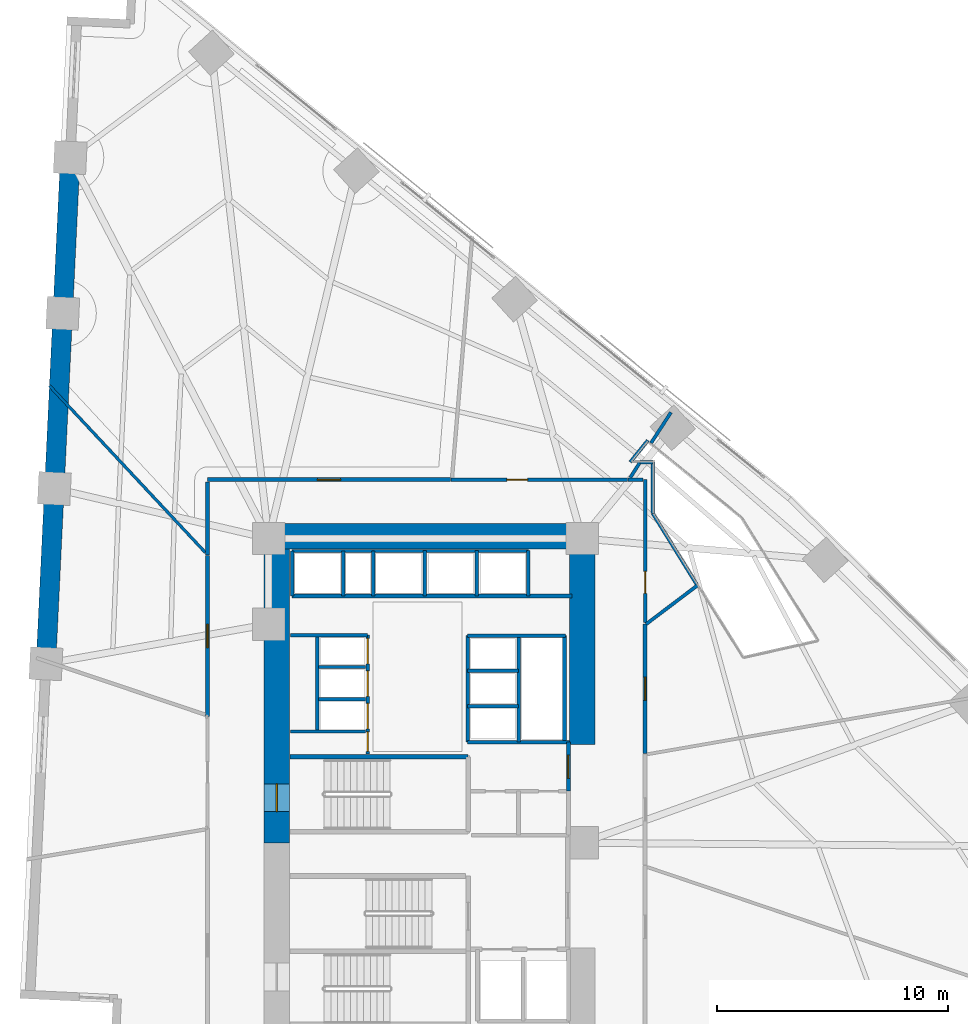
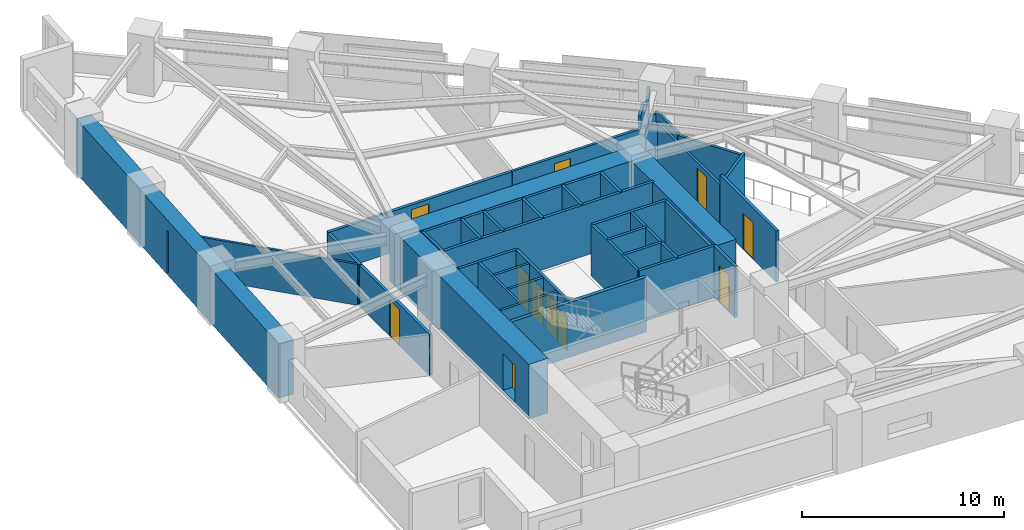
# One storey, part 14 of 17: 43 walls, 11 doors, 11 openings.
"""IFC4 building model written with IfcOpenShell, lengths in metres."""

from ifc_helpers import new_model, si_unit, direction, frame, frame_2d, origin, place, context, subcontext, project, spatial, rectangle, extrude, material, layer, layer_set, type_object, element, fill, save


model = new_model("IFC4")

# Units and contexts
model_context = context("Model", 3, precision=1e-05, world=origin(), true_north=direction((0.0, 1.0)))
body_context = subcontext(model_context, "Body", "Model", "MODEL_VIEW")
ifc_project = project(units=[si_unit("LENGTHUNIT", "METRE"), si_unit("AREAUNIT", "SQUARE_METRE"), si_unit("VOLUMEUNIT", "CUBIC_METRE"), si_unit("PLANEANGLEUNIT", "RADIAN"), si_unit("MASSUNIT", "GRAM", prefix="KILO")], contexts=[model_context])

# Site, building, storey
site_placement = place(None, origin())
site = spatial("IfcSite", under=ifc_project, at=site_placement, CompositionType="ELEMENT")
building_placement = place(site_placement, origin())
building = spatial("IfcBuilding", under=site, at=building_placement, Name="Narakoshi Arena Tower", CompositionType="ELEMENT")
storey_placement = place(building_placement, frame((0.0, 0.0, 55.5)))
storey = spatial("IfcBuildingStorey", under=building, at=storey_placement, Name="L14", CompositionType="ELEMENT", Elevation=55.5)

# Wall, opening, door
ifc_material_1 = material(Name="Concrete C60/75", Category="concrete")
ifc_layer_1 = layer(ifc_material_1, 1.10009765625)
ifc_layer_set_1 = layer_set([ifc_layer_1], Name="Concrete C60/75")
wall_type_1 = type_object("IfcWallType", Name="WL-CORE-1100", PredefinedType="SHEAR", material=ifc_layer_set_1)
wall_1_placement = place(storey_placement, frame((72.35009765625, 43.35009765625, -0.199951171875), z_axis=(0.0, 0.0, 1.0), x_axis=(0.0, 1.0, 0.0)))
wall_1 = element("IfcWall", 1, at=wall_1_placement, inside=storey, type_object=wall_type_1, Name="L14 Main Core Shear Wall CW-MN-W", PredefinedType="SHEAR", context=body_context, shape_type="SweptSolid", body=[
    extrude(rectangle(XDim=12.699951171875, YDim=1.10009765625, at=frame_2d((6.35009765625, 0.0))), origin(), (0.0, 0.0, 1.0), 3.300048828125),
])
opening_1_placement = place(wall_1_placement, frame((1.35009765625, 0.0, 0.199951171875)))
opening_1 = element("IfcOpeningElement", 2, at=opening_1_placement, cuts=wall_1, Name="Opening D-03", PredefinedType="OPENING", context=body_context, shape_type="SweptSolid", body=[
    extrude(rectangle(XDim=1.199951171875, YDim=2.199951171875, at=frame_2d((0.60009765625, 1.10009765625))), frame((0.0, 0.56005859375, 0.0), z_axis=(0.0, -1.0, 0.0), x_axis=(1.0, 0.0, 0.0)), (0.0, 0.0, 1.0), 1.1201171875),
])
ifc_material_2 = material(Name="Painted galvanized steel", Category="steel")
door_type_1 = type_object("IfcDoorType", Name="DR-STR-1200", OperationType="NOTDEFINED", PredefinedType="USERDEFINED", material=ifc_material_2)
door_1_placement = place(opening_1_placement, frame((1.199951171875, 0.0, 0.0), z_axis=(0.0, 0.0, 1.0), x_axis=(-1.0, 0.0, 0.0)))
door_1 = element("IfcDoor", 3, at=door_1_placement, inside=storey, type_object=door_type_1, Name="DR-L14-006", ObjectType="EXITDOOR", OperationType="SINGLE_SWING_LEFT", OverallHeight=2.199951171875, OverallWidth=1.199951171875, PredefinedType="USERDEFINED", context=body_context, shape_type="SweptSolid", body=[
    extrude(rectangle(XDim=1.199951171875, YDim=2.199951171875, at=frame_2d((0.60009765625, 1.10009765625))), frame((0.0, 0.02490234375, 0.0), z_axis=(0.0, -1.0, 0.0), x_axis=(1.0, 0.0, 0.0)), (0.0, 0.0, 1.0), 0.050048828125),
])
fill(opening_1, door_1)

# Walls
wall_2_placement = place(storey_placement, frame((71.800048828125, 56.60009765625, -0.199951171875), z_axis=(0.0, 0.0, 1.0), x_axis=(1.0, 0.0, 0.0)))
element("IfcWall", 4, at=wall_2_placement, inside=storey, type_object=wall_type_1, Name="L14 Main Core Shear Wall CW-MN-N", PredefinedType="SHEAR", context=body_context, shape_type="SweptSolid", body=[
    extrude(rectangle(XDim=14.300048828125, YDim=1.10009765625, at=frame_2d((7.14990234375, 0.0))), origin(), (0.0, 0.0, 1.0), 3.300048828125),
])
wall_3_placement = place(storey_placement, frame((85.550048828125, 47.60009765625, -0.199951171875), z_axis=(0.0, 0.0, 1.0), x_axis=(0.0, 1.0, 0.0)))
element("IfcWall", 5, at=wall_3_placement, inside=storey, type_object=wall_type_1, Name="L14 Main Core Shear Wall CW-MN-E", PredefinedType="SHEAR", context=body_context, shape_type="SweptSolid", body=[
    extrude(rectangle(XDim=8.449951171875, YDim=1.10009765625, at=frame_2d((4.22509765625, 0.0))), origin(), (0.0, 0.0, 1.0), 3.300048828125),
])

# Wall, opening, door
ifc_material_3 = material(Name="Gypsum plasterboard fire-rated partition")
ifc_layer_2 = layer(ifc_material_3, 0.1650390625)
ifc_layer_set_2 = layer_set([ifc_layer_2], Name="Gypsum plasterboard fire-rated partition")
wall_type_2 = type_object("IfcWallType", Name="WL-CORR-165", PredefinedType="PARTITIONING", material=ifc_layer_set_2)
wall_4_placement = place(storey_placement, frame((84.949951171875, 45.580078125, 0.0), z_axis=(0.0, 0.0, 1.0), x_axis=(0.0, 1.0, 0.0)))
wall_4 = element("IfcWall", 6, at=wall_4_placement, inside=storey, type_object=wall_type_2, Name="L14 Core Wall CPAS-E", PredefinedType="PARTITIONING", context=body_context, shape_type="SweptSolid", body=[
    extrude(rectangle(XDim=2.119873046875, YDim=0.1650390625, at=frame_2d((1.06005859375, 0.0))), origin(), (0.0, 0.0, 1.0), 3.10009765625),
])
opening_2_placement = place(wall_4_placement, frame((0.56005859375, 0.0, 0.0)))
opening_2 = element("IfcOpeningElement", 7, at=opening_2_placement, cuts=wall_4, Name="Opening D-06", PredefinedType="OPENING", context=body_context, shape_type="SweptSolid", body=[
    extrude(rectangle(XDim=1.0, YDim=2.199951171875, at=frame_2d((0.5, 1.10009765625))), frame((0.0, 0.092529296875, 0.0), z_axis=(0.0, -1.0, 0.0), x_axis=(1.0, 0.0, 0.0)), (0.0, 0.0, 1.0), 0.18505859375),
])
ifc_material_4 = material(Name="Stained oak solid-core timber", Category="wood")
door_type_2 = type_object("IfcDoorType", Name="DR-OFF-1000", OperationType="NOTDEFINED", PredefinedType="DOOR", material=ifc_material_4)
door_2_placement = place(opening_2_placement, frame((1.0, 0.0, 0.0), z_axis=(0.0, 0.0, 1.0), x_axis=(-1.0, 0.0, 0.0)))
door_2 = element("IfcDoor", 8, at=door_2_placement, inside=storey, type_object=door_type_2, Name="DR-L14-007", OperationType="SINGLE_SWING_LEFT", OverallHeight=2.199951171875, OverallWidth=1.0, PredefinedType="DOOR", context=body_context, shape_type="SweptSolid", body=[
    extrude(rectangle(XDim=1.0, YDim=2.199951171875, at=frame_2d((0.5, 1.10009765625))), frame((0.0, 0.02490234375, 0.0), z_axis=(0.0, -1.0, 0.0), x_axis=(1.0, 0.0, 0.0)), (0.0, 0.0, 1.0), 0.050048828125),
])
fill(opening_2, door_2)

wall_5_placement = place(storey_placement, frame((88.265625, 47.2216796875, 0.0), z_axis=(0.0, 0.0, 1.0), x_axis=(0.0, 1.0, 0.0)))
wall_5 = element("IfcWall", 9, at=wall_5_placement, inside=storey, type_object=wall_type_2, Name="L14 Corridor Partition 04-1", PredefinedType="PARTITIONING", context=body_context, shape_type="SweptSolid", body=[
    extrude(rectangle(XDim=5.574462890625, YDim=0.1650390625, at=frame_2d((2.787109375, 0.0))), origin(), (0.0, 0.0, 1.0), 3.10009765625),
])
opening_3_placement = place(wall_5_placement, frame((2.287109375, 0.0, 0.0)))
opening_3 = element("IfcOpeningElement", 10, at=opening_3_placement, cuts=wall_5, Name="Opening D-06", PredefinedType="OPENING", context=body_context, shape_type="SweptSolid", body=[
    extrude(rectangle(XDim=1.0, YDim=2.199951171875, at=frame_2d((0.5, 1.10009765625))), frame((0.0, 0.092529296875, 0.0), z_axis=(0.0, -1.0, 0.0), x_axis=(1.0, 0.0, 0.0)), (0.0, 0.0, 1.0), 0.18505859375),
])
door_3_placement = place(opening_3_placement, frame((1.0, 0.0, 0.0), z_axis=(0.0, 0.0, 1.0), x_axis=(-1.0, 0.0, 0.0)))
door_3 = element("IfcDoor", 11, at=door_3_placement, inside=storey, type_object=door_type_2, Name="DR-L14-017", OperationType="SINGLE_SWING_LEFT", OverallHeight=2.199951171875, OverallWidth=1.0, PredefinedType="DOOR", context=body_context, shape_type="SweptSolid", body=[
    extrude(rectangle(XDim=1.0, YDim=2.199951171875, at=frame_2d((0.5, 1.10009765625))), frame((0.0, 0.02490234375, 0.0), z_axis=(0.0, -1.0, 0.0), x_axis=(1.0, 0.0, 0.0)), (0.0, 0.0, 1.0), 0.050048828125),
])
fill(opening_3, door_3)

wall_6_placement = place(storey_placement, frame((79.857666015625, 59.04248046875, 0.0), z_axis=(0.0, 0.0, 1.0), x_axis=(-1.0, 0.0, 0.0)))
wall_6 = element("IfcWall", 12, at=wall_6_placement, inside=storey, type_object=wall_type_2, Name="L14 Corridor Partition 07-1", PredefinedType="PARTITIONING", context=body_context, shape_type="SweptSolid", body=[
    extrude(rectangle(XDim=10.500244140625, YDim=0.1650390625, at=frame_2d((5.25, 0.0))), origin(), (0.0, 0.0, 1.0), 2.485107421875),
])
opening_4_placement = place(wall_6_placement, frame((4.75, 0.0, 0.0)))
opening_4 = element("IfcOpeningElement", 13, at=opening_4_placement, cuts=wall_6, Name="Opening D-06", PredefinedType="OPENING", context=body_context, shape_type="SweptSolid", body=[
    extrude(rectangle(XDim=1.0, YDim=2.199951171875, at=frame_2d((0.5, 1.10009765625))), frame((0.0, 0.092529296875, 0.0), z_axis=(0.0, -1.0, 0.0), x_axis=(1.0, 0.0, 0.0)), (0.0, 0.0, 1.0), 0.18505859375),
])
door_4_placement = place(opening_4_placement, frame((1.0, 0.0, 0.0), z_axis=(0.0, 0.0, 1.0), x_axis=(-1.0, 0.0, 0.0)))
door_4 = element("IfcDoor", 14, at=door_4_placement, inside=storey, type_object=door_type_2, Name="DR-L14-020", OperationType="SINGLE_SWING_RIGHT", OverallHeight=2.199951171875, OverallWidth=1.0, PredefinedType="DOOR", context=body_context, shape_type="SweptSolid", body=[
    extrude(rectangle(XDim=1.0, YDim=2.199951171875, at=frame_2d((0.5, 1.10009765625))), frame((0.0, 0.02490234375, 0.0), z_axis=(0.0, -1.0, 0.0), x_axis=(1.0, 0.0, 0.0)), (0.0, 0.0, 1.0), 0.050048828125),
])
fill(opening_4, door_4)

# Wall
wall_7_placement = place(storey_placement, frame((69.357421875, 58.947998046875, 0.0), z_axis=(0.0, 0.0, 1.0), x_axis=(0.0, -1.0, 0.0)))
element("IfcWall", 15, at=wall_7_placement, inside=storey, type_object=wall_type_2, Name="L14 Corridor Partition 07-2", PredefinedType="PARTITIONING", context=body_context, shape_type="SweptSolid", body=[
    extrude(rectangle(XDim=3.151123046875, YDim=0.1650390625, at=frame_2d((1.57568359375, 0.0))), origin(), (0.0, 0.0, 1.0), 2.485107421875),
])

# Wall, opening, door
wall_8_placement = place(storey_placement, frame((69.357421875, 55.761474609375, 0.0), z_axis=(0.0, 0.0, 1.0), x_axis=(0.0, -1.0, 0.0)))
wall_8 = element("IfcWall", 16, at=wall_8_placement, inside=storey, type_object=wall_type_2, Name="L14 Corridor Partition 08-1", PredefinedType="PARTITIONING", context=body_context, shape_type="SweptSolid", body=[
    extrude(rectangle(XDim=6.943359375, YDim=0.1650390625, at=frame_2d((3.4716796875, 0.0))), origin(), (0.0, 0.0, 1.0), 2.485107421875),
])
opening_5_placement = place(wall_8_placement, frame((2.9716796875, 0.0, 0.0)))
opening_5 = element("IfcOpeningElement", 17, at=opening_5_placement, cuts=wall_8, Name="Opening D-06", PredefinedType="OPENING", context=body_context, shape_type="SweptSolid", body=[
    extrude(rectangle(XDim=1.0, YDim=2.199951171875, at=frame_2d((0.5, 1.10009765625))), frame((0.0, 0.092529296875, 0.0), z_axis=(0.0, -1.0, 0.0), x_axis=(1.0, 0.0, 0.0)), (0.0, 0.0, 1.0), 0.18505859375),
])
door_5_placement = place(opening_5_placement, frame((1.0, 0.0, 0.0), z_axis=(0.0, 0.0, 1.0), x_axis=(-1.0, 0.0, 0.0)))
door_5 = element("IfcDoor", 18, at=door_5_placement, inside=storey, type_object=door_type_2, Name="DR-L14-021", OperationType="SINGLE_SWING_LEFT", OverallHeight=2.199951171875, OverallWidth=1.0, PredefinedType="DOOR", context=body_context, shape_type="SweptSolid", body=[
    extrude(rectangle(XDim=1.0, YDim=2.199951171875, at=frame_2d((0.5, 1.10009765625))), frame((0.0, 0.02490234375, 0.0), z_axis=(0.0, -1.0, 0.0), x_axis=(1.0, 0.0, 0.0)), (0.0, 0.0, 1.0), 0.050048828125),
])
fill(opening_5, door_5)

# Walls
ifc_layer_3 = layer(ifc_material_1, 0.85009765625)
ifc_layer_set_3 = layer_set([ifc_layer_3], Name="Concrete C60/75")
wall_type_3 = type_object("IfcWallType", Name="WL-LEG-850", PredefinedType="SHEAR", material=ifc_layer_set_3)
wall_9_placement = place(storey_placement, frame((63.42822265625, 72.95654296875, -0.199951171875), z_axis=(0.0, 0.0, 1.0), x_axis=(-0.047976309476, -0.998848473858, 0.0)))
element("IfcWall", 19, at=wall_9_placement, inside=storey, type_object=wall_type_3, Name="L14 Architectural Concrete Structural Wall LEGB-2", PredefinedType="SHEAR", context=body_context, shape_type="SweptSolid", body=[
    extrude(rectangle(XDim=21.891845703125, YDim=0.85009765625, at=frame_2d((10.94580078125, 0.0))), origin(), (0.0, 0.0, 1.0), 3.300048828125),
])
ifc_layer_4 = layer(ifc_material_3, 0.125)
ifc_layer_set_4 = layer_set([ifc_layer_4], Name="Gypsum plasterboard fire-rated partition")
wall_type_4 = type_object("IfcWallType", Name="WL-PART-125", PredefinedType="PARTITIONING", material=ifc_layer_set_4)
wall_10_placement = place(storey_placement, frame((69.262939453125, 55.89794921875, 0.0), z_axis=(0.0, 0.0, 1.0), x_axis=(-0.682799718261, 0.730605601363, 0.0)))
element("IfcWall", 20, at=wall_10_placement, inside=storey, type_object=wall_type_4, Name="L14 Inter-Room Partition 07-08", PredefinedType="PARTITIONING", context=body_context, shape_type="SweptSolid", body=[
    extrude(rectangle(XDim=9.861572265625, YDim=0.125, at=frame_2d((4.9306640625, 0.0))), origin(), (0.0, 0.0, 1.0), 2.485107421875),
])
ifc_material_5 = material(Name="Concrete C40/50", Category="concrete")
ifc_layer_5 = layer(ifc_material_5, 0.280029296875)
ifc_layer_set_5 = layer_set([ifc_layer_5], Name="Concrete C40/50")
wall_type_5 = type_object("IfcWallType", Name="WL-RISER-280", PredefinedType="PLUMBINGWALL", material=ifc_layer_set_5)
wall_11_placement = place(storey_placement, frame((72.949951171875, 48.159912109375, 0.0), z_axis=(0.0, 0.0, 1.0), x_axis=(1.0, 0.0, 0.0)))
element("IfcWall", 21, at=wall_11_placement, inside=storey, type_object=wall_type_5, Name="L14 Core Wall LR-S0", PredefinedType="PLUMBINGWALL", context=body_context, shape_type="SweptSolid", body=[
    extrude(rectangle(XDim=3.239990234375, YDim=0.139892578125, at=frame_2d((1.6201171875, 0.0))), origin(), (0.0, 0.0, 1.0), 3.10009765625),
])
for number, where, z_axis, x_axis, name in (
    (22, (74.14990234375, 49.550048828125, 0.0), (0.0, 0.0, 1.0), (1.0, 0.0, 0.0), "L14 Core Wall LR-D1"),
    (23, (74.14990234375, 50.949951171875, 0.0), (0.0, 0.0, 1.0), (1.0, 0.0, 0.0), "L14 Core Wall LR-D2"),
):
    element("IfcWall", number, at=place(storey_placement, frame(where, z_axis=z_axis, x_axis=x_axis)), inside=storey, type_object=wall_type_5, Name=name, PredefinedType="PLUMBINGWALL", context=body_context, shape_type="SweptSolid", body=[
        extrude(rectangle(XDim=2.0400390625, YDim=0.139892578125, at=frame_2d((1.02001953125, 0.0))), origin(), (0.0, 0.0, 1.0), 3.10009765625),
    ])
wall_12_placement = place(storey_placement, frame((74.10009765625, 48.159912109375, 0.0), z_axis=(0.0, 0.0, 1.0), x_axis=(0.0, 1.0, 0.0)))
element("IfcWall", 24, at=wall_12_placement, inside=storey, type_object=wall_type_5, Name="L14 Core Wall LR-W", PredefinedType="PLUMBINGWALL", context=body_context, shape_type="SweptSolid", body=[
    extrude(rectangle(XDim=4.16015625, YDim=0.139892578125, at=frame_2d((2.080078125, 0.0))), origin(), (0.0, 0.0, 1.0), 3.10009765625),
])
for number, where, z_axis, x_axis, name in (
    (25, (80.60009765625, 49.260009765625, 0.0), (0.0, 0.0, 1.0), (1.0, 0.0, 0.0), "L14 Core Wall MR-D1"),
    (26, (80.60009765625, 50.780029296875, 0.0), (0.0, 0.0, 1.0), (1.0, 0.0, 0.0), "L14 Core Wall MR-D2"),
):
    element("IfcWall", number, at=place(storey_placement, frame(where, z_axis=z_axis, x_axis=x_axis)), inside=storey, type_object=wall_type_5, Name=name, PredefinedType="PLUMBINGWALL", context=body_context, shape_type="SweptSolid", body=[
        extrude(rectangle(XDim=2.199951171875, YDim=0.14990234375, at=frame_2d((1.10009765625, 0.0))), origin(), (0.0, 0.0, 1.0), 3.10009765625),
    ])
wall_13_placement = place(storey_placement, frame((82.800048828125, 47.699951171875, 0.0), z_axis=(0.0, 0.0, 1.0), x_axis=(0.0, 1.0, 0.0)))
element("IfcWall", 27, at=wall_13_placement, inside=storey, type_object=wall_type_5, Name="L14 Core Wall MR-E", PredefinedType="PLUMBINGWALL", context=body_context, shape_type="SweptSolid", body=[
    extrude(rectangle(XDim=4.60009765625, YDim=0.14990234375, at=frame_2d((2.300048828125, 0.0))), origin(), (0.0, 0.0, 1.0), 3.10009765625),
])
for number, where, z_axis, x_axis, name in (
    (28, (73.02001953125, 54.02001953125, 0.0), (0.0, 0.0, 1.0), (0.0, 1.0, 0.0), "L14 Core Wall OBS-W"),
    (29, (75.219970703125, 54.02001953125, 0.0), (0.0, 0.0, 1.0), (0.0, 1.0, 0.0), "L14 Core Wall OBS-M"),
):
    element("IfcWall", number, at=place(storey_placement, frame(where, z_axis=z_axis, x_axis=x_axis)), inside=storey, type_object=wall_type_5, Name=name, PredefinedType="PLUMBINGWALL", context=body_context, shape_type="SweptSolid", body=[
        extrude(rectangle(XDim=1.93994140625, YDim=0.14990234375, at=frame_2d((0.969970703125, 0.0))), origin(), (0.0, 0.0, 1.0), 3.10009765625),
    ])
for number, where, z_axis, x_axis, name in (
    (30, (78.75, 54.02001953125, 0.0), (0.0, 0.0, 1.0), (0.0, 1.0, 0.0), "L14 Core Wall HR-D1"),
    (31, (81.0, 54.02001953125, 0.0), (0.0, 0.0, 1.0), (0.0, 1.0, 0.0), "L14 Core Wall HR-D2"),
):
    element("IfcWall", number, at=place(storey_placement, frame(where, z_axis=z_axis, x_axis=x_axis)), inside=storey, type_object=wall_type_5, Name=name, PredefinedType="PLUMBINGWALL", context=body_context, shape_type="SweptSolid", body=[
        extrude(rectangle(XDim=1.9599609375, YDim=0.14990234375, at=frame_2d((0.97998046875, 0.0))), origin(), (0.0, 0.0, 1.0), 3.10009765625),
    ])
ifc_material_6 = material(Name="Concrete C50/60", Category="concrete")
ifc_layer_6 = layer(ifc_material_6, 0.35009765625)
ifc_layer_set_6 = layer_set([ifc_layer_6], Name="Concrete C50/60")
wall_type_6 = type_object("IfcWallType", Name="WL-SHAFT-350", PredefinedType="SOLIDWALL", material=ifc_layer_set_6)
wall_14_placement = place(storey_placement, frame((72.919921875, 47.070068359375, -0.199951171875), z_axis=(0.0, 0.0, 1.0), x_axis=(1.0, 0.0, 0.0)))
element("IfcWall", 32, at=wall_14_placement, inside=storey, type_object=wall_type_6, Name="L14 Core Wall ST3-N", PredefinedType="SOLIDWALL", context=body_context, shape_type="SweptSolid", body=[
    extrude(rectangle(XDim=7.7001953125, YDim=0.199951171875, at=frame_2d((3.85009765625, 0.0))), origin(), (0.0, 0.0, 1.0), 3.300048828125),
])

# Wall, openings, doors
wall_15_placement = place(storey_placement, frame((76.280029296875, 47.179931640625, 0.0), z_axis=(0.0, 0.0, 1.0), x_axis=(0.0, 1.0, 0.0)))
wall_15 = element("IfcWall", 33, at=wall_15_placement, inside=storey, type_object=wall_type_6, Name="L14 Core Wall LR-E", PredefinedType="SOLIDWALL", context=body_context, shape_type="SweptSolid", body=[
    extrude(rectangle(XDim=5.14013671875, YDim=0.159912109375, at=frame_2d((2.570068359375, 0.0))), origin(), (0.0, 0.0, 1.0), 3.10009765625),
])
opening_6_placement = place(wall_15_placement, frame((1.10009765625, 0.0, 0.0)))
opening_6 = element("IfcOpeningElement", 34, at=opening_6_placement, cuts=wall_15, Name="Opening LD-01", PredefinedType="OPENING", context=body_context, shape_type="SweptSolid", body=[
    extrude(rectangle(XDim=1.10009765625, YDim=2.25, at=frame_2d((0.550048828125, 1.125))), frame((0.0, 0.08984375, 0.0), z_axis=(0.0, -1.0, 0.0), x_axis=(1.0, 0.0, 0.0)), (0.0, 0.0, 1.0), 0.179931640625),
])
opening_7_placement = place(wall_15_placement, frame((2.5, 0.0, 0.0)))
opening_7 = element("IfcOpeningElement", 35, at=opening_7_placement, cuts=wall_15, Name="Opening LD-01", PredefinedType="OPENING", context=body_context, shape_type="SweptSolid", body=[
    extrude(rectangle(XDim=1.10009765625, YDim=2.25, at=frame_2d((0.550048828125, 1.125))), frame((0.0, 0.08984375, 0.0), z_axis=(0.0, -1.0, 0.0), x_axis=(1.0, 0.0, 0.0)), (0.0, 0.0, 1.0), 0.179931640625),
])
opening_8_placement = place(wall_15_placement, frame((3.89990234375, 0.0, 0.0)))
opening_8 = element("IfcOpeningElement", 36, at=opening_8_placement, cuts=wall_15, Name="Opening LD-01", PredefinedType="OPENING", context=body_context, shape_type="SweptSolid", body=[
    extrude(rectangle(XDim=1.10009765625, YDim=2.25, at=frame_2d((0.550048828125, 1.125))), frame((0.0, 0.08984375, 0.0), z_axis=(0.0, -1.0, 0.0), x_axis=(1.0, 0.0, 0.0)), (0.0, 0.0, 1.0), 0.179931640625),
])
opening_9_placement = place(wall_15_placement, frame((0.1201171875, 0.0, 0.0)))
opening_9 = element("IfcOpeningElement", 37, at=opening_9_placement, cuts=wall_15, Name="Opening D-10", PredefinedType="OPENING", context=body_context, shape_type="SweptSolid", body=[
    extrude(rectangle(XDim=0.85009765625, YDim=2.050048828125, at=frame_2d((0.425048828125, 1.02490234375))), frame((0.0, 0.08984375, 0.0), z_axis=(0.0, -1.0, 0.0), x_axis=(1.0, 0.0, 0.0)), (0.0, 0.0, 1.0), 0.179931640625),
])
ifc_material_7 = material(Name="Brushed bronze stainless steel", Category="steel")
door_type_3 = type_object("IfcDoorType", Name="DR-LFT-1100", OperationType="DOUBLE_DOOR_SLIDING", PredefinedType="DOOR", material=ifc_material_7)
door_6_placement = place(opening_6_placement, origin())
door_6 = element("IfcDoor", 38, at=door_6_placement, inside=storey, type_object=door_type_3, Name="DR-L14-010", OperationType="DOUBLE_DOOR_SLIDING", OverallHeight=2.25, OverallWidth=1.10009765625, PredefinedType="DOOR", context=body_context, shape_type="SweptSolid", body=[
    extrude(rectangle(XDim=1.10009765625, YDim=2.25, at=frame_2d((0.550048828125, 1.125))), frame((0.0, 0.02490234375, 0.0), z_axis=(0.0, -1.0, 0.0), x_axis=(1.0, 0.0, 0.0)), (0.0, 0.0, 1.0), 0.050048828125),
])
fill(opening_6, door_6)
door_7_placement = place(opening_7_placement, origin())
door_7 = element("IfcDoor", 39, at=door_7_placement, inside=storey, type_object=door_type_3, Name="DR-L14-011", OperationType="DOUBLE_DOOR_SLIDING", OverallHeight=2.25, OverallWidth=1.10009765625, PredefinedType="DOOR", context=body_context, shape_type="SweptSolid", body=[
    extrude(rectangle(XDim=1.10009765625, YDim=2.25, at=frame_2d((0.550048828125, 1.125))), frame((0.0, 0.02490234375, 0.0), z_axis=(0.0, -1.0, 0.0), x_axis=(1.0, 0.0, 0.0)), (0.0, 0.0, 1.0), 0.050048828125),
])
fill(opening_7, door_7)
door_8_placement = place(opening_8_placement, origin())
door_8 = element("IfcDoor", 40, at=door_8_placement, inside=storey, type_object=door_type_3, Name="DR-L14-012", OperationType="DOUBLE_DOOR_SLIDING", OverallHeight=2.25, OverallWidth=1.10009765625, PredefinedType="DOOR", context=body_context, shape_type="SweptSolid", body=[
    extrude(rectangle(XDim=1.10009765625, YDim=2.25, at=frame_2d((0.550048828125, 1.125))), frame((0.0, 0.02490234375, 0.0), z_axis=(0.0, -1.0, 0.0), x_axis=(1.0, 0.0, 0.0)), (0.0, 0.0, 1.0), 0.050048828125),
])
fill(opening_8, door_8)
door_type_4 = type_object("IfcDoorType", Name="DR-RSR-850", OperationType="NOTDEFINED", PredefinedType="DOOR", material=ifc_material_2)
door_9_placement = place(opening_9_placement, frame((0.85009765625, 0.0, 0.0), z_axis=(0.0, 0.0, 1.0), x_axis=(-1.0, 0.0, 0.0)))
door_9 = element("IfcDoor", 41, at=door_9_placement, inside=storey, type_object=door_type_4, Name="DR-L14-013", OperationType="SINGLE_SWING_LEFT", OverallHeight=2.050048828125, OverallWidth=0.85009765625, PredefinedType="DOOR", context=body_context, shape_type="SweptSolid", body=[
    extrude(rectangle(XDim=0.85009765625, YDim=2.050048828125, at=frame_2d((0.425048828125, 1.02490234375))), frame((0.0, 0.02490234375, 0.0), z_axis=(0.0, -1.0, 0.0), x_axis=(1.0, 0.0, 0.0)), (0.0, 0.0, 1.0), 0.050048828125),
])
fill(opening_9, door_9)

# Walls
wall_16_placement = place(storey_placement, frame((72.949951171875, 52.320068359375, 0.0), z_axis=(0.0, 0.0, 1.0), x_axis=(1.0, 0.0, 0.0)))
element("IfcWall", 42, at=wall_16_placement, inside=storey, type_object=wall_type_6, Name="L14 Core Wall LR-N", PredefinedType="SOLIDWALL", context=body_context, shape_type="SweptSolid", body=[
    extrude(rectangle(XDim=3.330078125, YDim=0.14990234375, at=frame_2d((1.6650390625, 0.0))), origin(), (0.0, 0.0, 1.0), 3.10009765625),
])
wall_17_placement = place(storey_placement, frame((80.60009765625, 47.699951171875, 0.0), z_axis=(0.0, 0.0, 1.0), x_axis=(0.0, 1.0, 0.0)))
element("IfcWall", 43, at=wall_17_placement, inside=storey, type_object=wall_type_6, Name="L14 Core Wall MR-W", PredefinedType="SOLIDWALL", context=body_context, shape_type="SweptSolid", body=[
    extrude(rectangle(XDim=4.60009765625, YDim=0.159912109375, at=frame_2d((2.300048828125, 0.0))), origin(), (0.0, 0.0, 1.0), 3.10009765625),
])
wall_18_placement = place(storey_placement, frame((80.60009765625, 47.699951171875, 0.0), z_axis=(0.0, 0.0, 1.0), x_axis=(1.0, 0.0, 0.0)))
element("IfcWall", 44, at=wall_18_placement, inside=storey, type_object=wall_type_6, Name="L14 Core Wall MR-S", PredefinedType="SOLIDWALL", context=body_context, shape_type="SweptSolid", body=[
    extrude(rectangle(XDim=4.39990234375, YDim=0.159912109375, at=frame_2d((2.199951171875, 0.0))), origin(), (0.0, 0.0, 1.0), 3.10009765625),
])
wall_19_placement = place(storey_placement, frame((80.60009765625, 52.300048828125, 0.0), z_axis=(0.0, 0.0, 1.0), x_axis=(1.0, 0.0, 0.0)))
element("IfcWall", 45, at=wall_19_placement, inside=storey, type_object=wall_type_6, Name="L14 Core Wall MR-N", PredefinedType="SOLIDWALL", context=body_context, shape_type="SweptSolid", body=[
    extrude(rectangle(XDim=4.219970703125, YDim=0.159912109375, at=frame_2d((2.10986328125, 0.0))), origin(), (0.0, 0.0, 1.0), 3.10009765625),
])
wall_20_placement = place(storey_placement, frame((84.780029296875, 47.699951171875, 0.0), z_axis=(0.0, 0.0, 1.0), x_axis=(0.0, 1.0, 0.0)))
element("IfcWall", 46, at=wall_20_placement, inside=storey, type_object=wall_type_6, Name="L14 Core Wall MR-E2", PredefinedType="SOLIDWALL", context=body_context, shape_type="SweptSolid", body=[
    extrude(rectangle(XDim=4.60009765625, YDim=0.159912109375, at=frame_2d((2.300048828125, 0.0))), origin(), (0.0, 0.0, 1.0), 3.10009765625),
])
wall_21_placement = place(storey_placement, frame((73.02001953125, 54.02001953125, 0.0), z_axis=(0.0, 0.0, 1.0), x_axis=(1.0, 0.0, 0.0)))
element("IfcWall", 47, at=wall_21_placement, inside=storey, type_object=wall_type_6, Name="L14 Core Wall NSHF-S", PredefinedType="SOLIDWALL", context=body_context, shape_type="SweptSolid", body=[
    extrude(rectangle(XDim=12.080078125, YDim=0.159912109375, at=frame_2d((6.0400390625, 0.0))), origin(), (0.0, 0.0, 1.0), 3.10009765625),
])
wall_22_placement = place(storey_placement, frame((73.02001953125, 55.9599609375, 0.0), z_axis=(0.0, 0.0, 1.0), x_axis=(1.0, 0.0, 0.0)))
element("IfcWall", 48, at=wall_22_placement, inside=storey, type_object=wall_type_6, Name="L14 Core Wall OBS-N", PredefinedType="SOLIDWALL", context=body_context, shape_type="SweptSolid", body=[
    extrude(rectangle(XDim=3.5, YDim=0.14990234375, at=frame_2d((1.75, 0.0))), origin(), (0.0, 0.0, 1.0), 3.10009765625),
])
wall_23_placement = place(storey_placement, frame((76.52001953125, 54.02001953125, 0.0), z_axis=(0.0, 0.0, 1.0), x_axis=(0.0, 1.0, 0.0)))
element("IfcWall", 49, at=wall_23_placement, inside=storey, type_object=wall_type_6, Name="L14 Core Wall OBS-E", PredefinedType="SOLIDWALL", context=body_context, shape_type="SweptSolid", body=[
    extrude(rectangle(XDim=1.93994140625, YDim=0.14990234375, at=frame_2d((0.969970703125, 0.0))), origin(), (0.0, 0.0, 1.0), 3.10009765625),
])
wall_24_placement = place(storey_placement, frame((83.219970703125, 54.02001953125, 0.0), z_axis=(0.0, 0.0, 1.0), x_axis=(0.0, 1.0, 0.0)))
element("IfcWall", 50, at=wall_24_placement, inside=storey, type_object=wall_type_6, Name="L14 Core Wall HR-E", PredefinedType="SOLIDWALL", context=body_context, shape_type="SweptSolid", body=[
    extrude(rectangle(XDim=1.9599609375, YDim=0.14990234375, at=frame_2d((0.97998046875, 0.0))), origin(), (0.0, 0.0, 1.0), 3.10009765625),
])
wall_25_placement = place(storey_placement, frame((76.52001953125, 55.9599609375, 0.0), z_axis=(0.0, 0.0, 1.0), x_axis=(1.0, 0.0, 0.0)))
element("IfcWall", 51, at=wall_25_placement, inside=storey, type_object=wall_type_6, Name="L14 Core Wall HR-N", PredefinedType="SOLIDWALL", context=body_context, shape_type="SweptSolid", body=[
    extrude(rectangle(XDim=6.699951171875, YDim=0.14990234375, at=frame_2d((3.35009765625, 0.0))), origin(), (0.0, 0.0, 1.0), 3.10009765625),
])
ifc_material_8 = material(Name="Moisture-resistant cement-board partition")
ifc_layer_7 = layer(ifc_material_8, 0.14501953125)
ifc_layer_set_7 = layer_set([ifc_layer_7], Name="Moisture-resistant cement-board partition")
wall_type_7 = type_object("IfcWallType", Name="WL-WET-145", PredefinedType="PARTITIONING", material=ifc_layer_set_7)
wall_26_placement = place(storey_placement, frame((88.30517578125, 52.796142578125, 0.0), z_axis=(0.0, 0.0, 1.0), x_axis=(0.798092121875, 0.602535447091, 0.0)))
element("IfcWall", 52, at=wall_26_placement, inside=storey, type_object=wall_type_7, Name="L14 Inter-Room Partition 04-05", PredefinedType="PARTITIONING", context=body_context, shape_type="SweptSolid", body=[
    extrude(rectangle(XDim=2.78515625, YDim=0.14501953125, at=frame_2d((1.392578125, 0.0))), origin(), (0.0, 0.0, 1.0), 2.635009765625),
])

# Wall, opening, door
wall_27_placement = place(storey_placement, frame((88.265625, 52.872314453125, 0.0), z_axis=(0.0, 0.0, 1.0), x_axis=(0.0, 1.0, 0.0)))
wall_27 = element("IfcWall", 53, at=wall_27_placement, inside=storey, type_object=wall_type_7, Name="L14 Corridor Partition 05-1", PredefinedType="PARTITIONING", context=body_context, shape_type="SweptSolid", body=[
    extrude(rectangle(XDim=6.170166015625, YDim=0.14501953125, at=frame_2d((3.0849609375, 0.0))), origin(), (0.0, 0.0, 1.0), 2.485107421875),
])
opening_10_placement = place(wall_27_placement, frame((1.260498046875, 0.0, 0.0)))
opening_10 = element("IfcOpeningElement", 54, at=opening_10_placement, cuts=wall_27, Name="Opening D-07", PredefinedType="OPENING", context=body_context, shape_type="SweptSolid", body=[
    extrude(rectangle(XDim=0.949951171875, YDim=2.14990234375, at=frame_2d((0.47509765625, 1.074951171875))), frame((0.0, 0.08251953125, 0.0), z_axis=(0.0, -1.0, 0.0), x_axis=(1.0, 0.0, 0.0)), (0.0, 0.0, 1.0), 0.1650390625),
])
door_type_5 = type_object("IfcDoorType", Name="DR-ACC-950", OperationType="NOTDEFINED", PredefinedType="DOOR", material=ifc_material_4)
door_10_placement = place(opening_10_placement, frame((0.949951171875, 0.0, 0.0), z_axis=(0.0, 0.0, 1.0), x_axis=(-1.0, 0.0, 0.0)))
door_10 = element("IfcDoor", 55, at=door_10_placement, inside=storey, type_object=door_type_5, Name="DR-L14-018", OperationType="SINGLE_SWING_LEFT", OverallHeight=2.14990234375, OverallWidth=0.949951171875, PredefinedType="DOOR", context=body_context, shape_type="SweptSolid", body=[
    extrude(rectangle(XDim=0.949951171875, YDim=2.14990234375, at=frame_2d((0.47509765625, 1.074951171875))), frame((0.0, 0.02490234375, 0.0), z_axis=(0.0, -1.0, 0.0), x_axis=(1.0, 0.0, 0.0)), (0.0, 0.0, 1.0), 0.050048828125),
])
fill(opening_10, door_10)

# Walls
wall_28_placement = place(storey_placement, frame((88.18115234375, 59.04248046875, 0.0), z_axis=(0.0, 0.0, 1.0), x_axis=(-1.0, 0.0, 0.0)))
element("IfcWall", 56, at=wall_28_placement, inside=storey, type_object=wall_type_7, Name="L14 Corridor Partition 05-2", PredefinedType="PARTITIONING", context=body_context, shape_type="SweptSolid", body=[
    extrude(rectangle(XDim=0.65380859375, YDim=0.14501953125, at=frame_2d((0.326904296875, 0.0))), origin(), (0.0, 0.0, 1.0), 2.485107421875),
])
wall_29_placement = place(storey_placement, frame((87.623779296875, 59.126953125, 0.0), z_axis=(0.0, 0.0, 1.0), x_axis=(0.534811443004, 0.844971431726, 0.0)))
element("IfcWall", 57, at=wall_29_placement, inside=storey, type_object=wall_type_7, Name="L14 Inter-Room Partition 05-06", PredefinedType="PARTITIONING", context=body_context, shape_type="SweptSolid", body=[
    extrude(rectangle(XDim=0.796630859375, YDim=0.14501953125, at=frame_2d((0.3984375, 0.0))), origin(), (0.0, 0.0, 1.0), 2.485107421875),
])

# Wall, opening, door
wall_30_placement = place(storey_placement, frame((87.498779296875, 59.04248046875, 0.0), z_axis=(0.0, 0.0, 1.0), x_axis=(-1.0, 0.0, 0.0)))
wall_30 = element("IfcWall", 58, at=wall_30_placement, inside=storey, type_object=wall_type_7, Name="L14 Corridor Partition 06-1", PredefinedType="PARTITIONING", context=body_context, shape_type="SweptSolid", body=[
    extrude(rectangle(XDim=7.616943359375, YDim=0.14501953125, at=frame_2d((3.80859375, 0.0))), origin(), (0.0, 0.0, 1.0), 2.485107421875),
])
opening_11_placement = place(wall_30_placement, frame((4.305908203125, 0.0, 0.0)))
opening_11 = element("IfcOpeningElement", 59, at=opening_11_placement, cuts=wall_30, Name="Opening D-08", PredefinedType="OPENING", context=body_context, shape_type="SweptSolid", body=[
    extrude(rectangle(XDim=0.89990234375, YDim=2.10009765625, at=frame_2d((0.449951171875, 1.050048828125))), frame((0.0, 0.08251953125, 0.0), z_axis=(0.0, -1.0, 0.0), x_axis=(1.0, 0.0, 0.0)), (0.0, 0.0, 1.0), 0.1650390625),
])
ifc_material_9 = material(Name="Moisture-resistant laminate timber", Category="wood")
door_type_6 = type_object("IfcDoorType", Name="DR-WC-900", OperationType="NOTDEFINED", PredefinedType="DOOR", material=ifc_material_9)
door_11_placement = place(opening_11_placement, frame((0.89990234375, 0.0, 0.0), z_axis=(0.0, 0.0, 1.0), x_axis=(-1.0, 0.0, 0.0)))
door_11 = element("IfcDoor", 60, at=door_11_placement, inside=storey, type_object=door_type_6, Name="DR-L14-019", OperationType="SINGLE_SWING_LEFT", OverallHeight=2.10009765625, OverallWidth=0.89990234375, PredefinedType="DOOR", context=body_context, shape_type="SweptSolid", body=[
    extrude(rectangle(XDim=0.89990234375, YDim=2.10009765625, at=frame_2d((0.449951171875, 1.050048828125))), frame((0.0, 0.02490234375, 0.0), z_axis=(0.0, -1.0, 0.0), x_axis=(1.0, 0.0, 0.0)), (0.0, 0.0, 1.0), 0.050048828125),
])
fill(opening_11, door_11)

# Walls
wall_31_placement = place(storey_placement, frame((88.0498046875, 59.800048828125, 0.0), z_axis=(0.0, 0.0, 1.0), x_axis=(1.0, 0.0, 0.0)))
element("IfcWall", 61, at=wall_31_placement, inside=storey, type_object=wall_type_7, Name="L14 Room Enclosure Partition 05-1", PredefinedType="PARTITIONING", context=body_context, shape_type="SweptSolid", body=[
    extrude(rectangle(XDim=0.55029296875, YDim=0.14501953125, at=frame_2d((0.275146484375, 0.0))), origin(), (0.0, 0.0, 1.0), 2.485107421875),
])
wall_32_placement = place(storey_placement, frame((88.60009765625, 59.800048828125, 0.0), z_axis=(0.0, 0.0, 1.0), x_axis=(0.0, -1.0, 0.0)))
element("IfcWall", 62, at=wall_32_placement, inside=storey, type_object=wall_type_7, Name="L14 Room Enclosure Partition 05-2", PredefinedType="PARTITIONING", context=body_context, shape_type="SweptSolid", body=[
    extrude(rectangle(XDim=2.2216796875, YDim=0.14501953125, at=frame_2d((1.11083984375, 0.0))), origin(), (0.0, 0.0, 1.0), 2.635009765625),
])
wall_33_placement = place(storey_placement, frame((88.60009765625, 57.578369140625, 0.0), z_axis=(0.0, 0.0, 1.0), x_axis=(0.526342922734, -0.850272384409, 0.0)))
element("IfcWall", 63, at=wall_33_placement, inside=storey, type_object=wall_type_7, Name="L14 Room Enclosure Partition 05-3", PredefinedType="PARTITIONING", context=body_context, shape_type="SweptSolid", body=[
    extrude(rectangle(XDim=3.59423828125, YDim=0.14501953125, at=frame_2d((1.797119140625, 0.0))), origin(), (0.0, 0.0, 1.0), 2.485107421875),
])
wall_34_placement = place(storey_placement, frame((89.384521484375, 61.951904296875, 0.0), z_axis=(0.0, 0.0, 1.0), x_axis=(-0.543949892759, -0.83911769983, 0.0)))
element("IfcWall", 64, at=wall_34_placement, inside=storey, type_object=wall_type_7, Name="L14 Room Enclosure Partition 06-1", PredefinedType="PARTITIONING", context=body_context, shape_type="SweptSolid", body=[
    extrude(rectangle(XDim=1.5791015625, YDim=0.14501953125, at=frame_2d((0.78955078125, 0.0))), origin(), (0.0, 0.0, 1.0), 2.485107421875),
])
wall_35_placement = place(storey_placement, frame((88.384521484375, 60.74169921875, 0.0), z_axis=(0.0, 0.0, 1.0), x_axis=(-0.628914048691, -0.777474835193, 0.0)))
element("IfcWall", 65, at=wall_35_placement, inside=storey, type_object=wall_type_7, Name="L14 Room Enclosure Partition 06-2", PredefinedType="PARTITIONING", context=body_context, shape_type="SweptSolid", body=[
    extrude(rectangle(XDim=1.211181640625, YDim=0.14501953125, at=frame_2d((0.60546875, 0.0))), origin(), (0.0, 0.0, 1.0), 2.635009765625),
])

save(model, "model.ifc")
